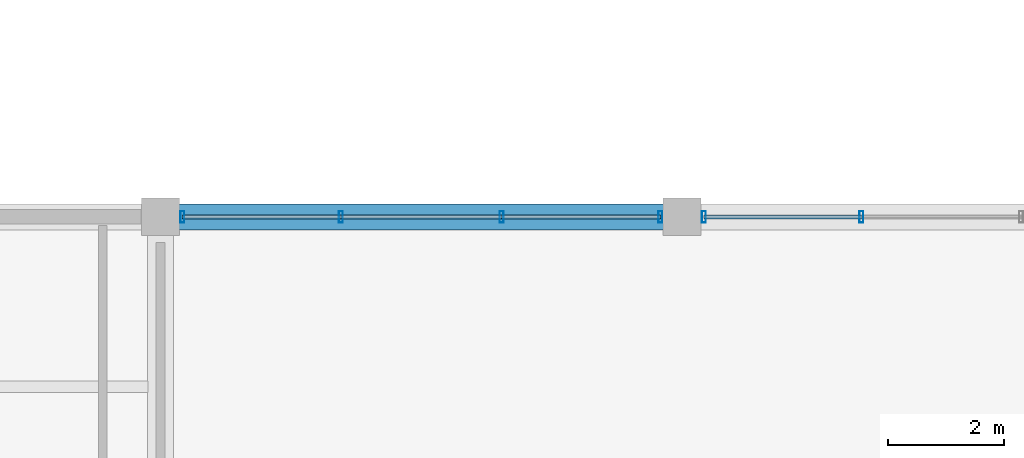
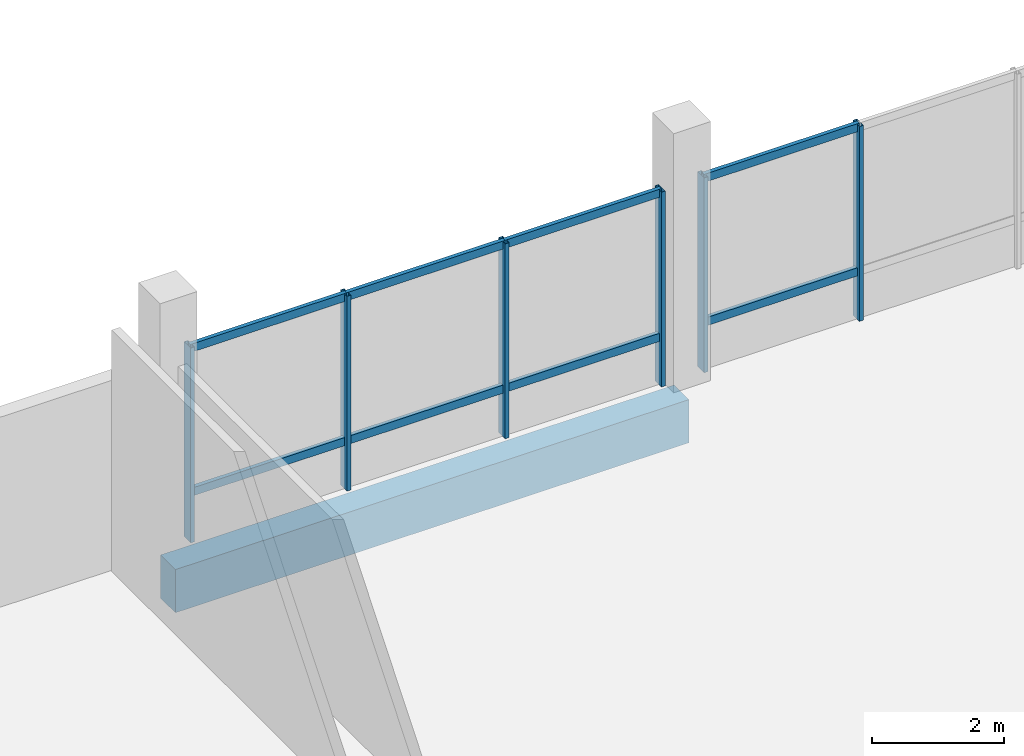
# One storey, part 33 of 71: 14 members, 1 beam, 2 elements without a shape of their own.
"""IFC4 building model written with IfcOpenShell, lengths in metres."""

from ifc_helpers import new_model, si_unit, direction, frame, origin, origin_2d, place, context, subcontext, project, spatial, rectangle, hollow_rectangle, extrude, material, layer, layer_set, material_profile, profile_set, type_object, element, aggregate, save


model = new_model("IFC4")

# Units and contexts
model_context = context("Model", 3, precision=1e-05, world=origin(), true_north=direction((0.0, 1.0)))
body_context = subcontext(model_context, "Body", "Model", "MODEL_VIEW")
ifc_project = project(units=[si_unit("LENGTHUNIT", "METRE"), si_unit("AREAUNIT", "SQUARE_METRE"), si_unit("VOLUMEUNIT", "CUBIC_METRE"), si_unit("PLANEANGLEUNIT", "RADIAN"), si_unit("MASSUNIT", "GRAM", prefix="KILO")], contexts=[model_context])

# Site, building, storey
site_placement = place(None, origin())
site = spatial("IfcSite", under=ifc_project, at=site_placement, CompositionType="ELEMENT")
building_placement = place(site_placement, origin())
building = spatial("IfcBuilding", under=site, at=building_placement, Name="Meriwether Solvik Hall", CompositionType="ELEMENT")
storey_placement = place(building_placement, frame((0.0, 0.0, 5.10009765625)))
storey = spatial("IfcBuildingStorey", under=building, at=storey_placement, Name="L01", CompositionType="ELEMENT", Elevation=5.10009765625)

# Beam
ifc_material_1 = material(Name="Concrete C40/50", Category="concrete")
ifc_material_profile_1 = material_profile(ifc_material_1, rectangle(XDim=0.449951171875, YDim=0.800048828125, at=origin_2d()), Name="RCB-450X800")
ifc_profile_set_1 = profile_set([ifc_material_profile_1], Name="Concrete C40/50")
beam_type = type_object("IfcBeamType", Name="BM-RC-450X800", PredefinedType="BEAM", material=ifc_profile_set_1)
beam_placement = place(storey_placement, frame((77.800048828125, 92.800048828125, -0.7001953125), z_axis=(1.0, 0.0, 0.0), x_axis=(0.0, 1.0, 0.0)))
element("IfcBeam", 1, at=beam_placement, inside=storey, type_object=beam_type, Name="Podium Girder K:9-10 (L01)", PredefinedType="BEAM", context=body_context, shape_type="SweptSolid", body=[
    extrude(rectangle(XDim=0.449951171875, YDim=0.800048828125, at=origin_2d()), origin(), (0.0, 0.0, 1.0), 9.0),
])

# Curtain wall, members
ifc_material_2 = material(Name="Thermally Broken Anodised Aluminium 6063-T6 and Low-E Glass", Category="aluminium")
ifc_layer = layer(ifc_material_2, 0.179931640625)
ifc_layer_set = layer_set([ifc_layer], Name="Thermally Broken Anodised Aluminium 6063-T6 and Low-E Glass")
curtain_wall_type = type_object("IfcCurtainWallType", Name="CW-SF-POD-B", PredefinedType="USERDEFINED", material=ifc_layer_set)
curtain_wall_1_placement = place(storey_placement, origin())
curtain_wall_1 = element("IfcCurtainWall", 2, at=curtain_wall_1_placement, inside=storey, type_object=curtain_wall_type, Name="Curtain Wall wing_XK_9_26 (L01)", ObjectType="STICK STOREFRONT GLAZING", PredefinedType="USERDEFINED")
ifc_material_3 = material(Name="Anodised Aluminium 6063-T6", Category="aluminium")
ifc_material_profile_2 = material_profile(ifc_material_3, hollow_rectangle(XDim=0.070068359375, YDim=0.199951171875, WallThickness=0.0048828125, at=origin_2d()), Name="CWM-70X200")
ifc_profile_set_2 = profile_set([ifc_material_profile_2], Name="Anodised Aluminium 6063-T6")
member_type_1 = type_object("IfcMemberType", Name="CW-MUL-70X200", PredefinedType="MULLION", material=ifc_profile_set_2)
member_1_placement = place(storey_placement, frame((78.175048828125, 92.800048828125, 0.0), z_axis=(0.0, 0.0, 1.0), x_axis=(1.0, 0.0, 0.0)))
member_1 = element("IfcMember", 3, at=member_1_placement, type_object=member_type_1, Name="Curtain Wall Mullion 1", PredefinedType="MULLION", context=body_context, shape_type="SweptSolid", body=[
    extrude(hollow_rectangle(XDim=0.070068359375, YDim=0.199951171875, WallThickness=0.0048828125, at=origin_2d()), origin(), (0.0, 0.0, 1.0), 3.60986328125),
])
member_2_placement = place(storey_placement, frame((80.912353515625, 92.800048828125, 0.0), z_axis=(0.0, 0.0, 1.0), x_axis=(1.0, 0.0, 0.0)))
member_2 = element("IfcMember", 4, at=member_2_placement, type_object=member_type_1, Name="Curtain Wall Mullion 2", PredefinedType="MULLION", context=body_context, shape_type="SweptSolid", body=[
    extrude(hollow_rectangle(XDim=0.070068359375, YDim=0.199951171875, WallThickness=0.0048828125, at=origin_2d()), origin(), (0.0, 0.0, 1.0), 3.60986328125),
])
member_3_placement = place(storey_placement, frame((83.687744140625, 92.800048828125, 0.0), z_axis=(0.0, 0.0, 1.0), x_axis=(1.0, 0.0, 0.0)))
member_3 = element("IfcMember", 5, at=member_3_placement, type_object=member_type_1, Name="Curtain Wall Mullion 3", PredefinedType="MULLION", context=body_context, shape_type="SweptSolid", body=[
    extrude(hollow_rectangle(XDim=0.070068359375, YDim=0.199951171875, WallThickness=0.0048828125, at=origin_2d()), origin(), (0.0, 0.0, 1.0), 3.60986328125),
])
member_4_placement = place(storey_placement, frame((86.425048828125, 92.800048828125, 0.0), z_axis=(0.0, 0.0, 1.0), x_axis=(1.0, 0.0, 0.0)))
member_4 = element("IfcMember", 6, at=member_4_placement, type_object=member_type_1, Name="Curtain Wall Mullion 4", PredefinedType="MULLION", context=body_context, shape_type="SweptSolid", body=[
    extrude(hollow_rectangle(XDim=0.070068359375, YDim=0.199951171875, WallThickness=0.0048828125, at=origin_2d()), origin(), (0.0, 0.0, 1.0), 3.60986328125),
])

curtain_wall_2_placement = place(storey_placement, origin())
curtain_wall_2 = element("IfcCurtainWall", 7, at=curtain_wall_2_placement, inside=storey, type_object=curtain_wall_type, Name="Curtain Wall wing_XK_10_27 (L01)", ObjectType="STICK STOREFRONT GLAZING", PredefinedType="USERDEFINED")
member_5_placement = place(storey_placement, frame((87.175048828125, 92.800048828125, 0.0), z_axis=(0.0, 0.0, 1.0), x_axis=(1.0, 0.0, 0.0)))
member_5 = element("IfcMember", 8, at=member_5_placement, type_object=member_type_1, Name="Curtain Wall Mullion 1", PredefinedType="MULLION", context=body_context, shape_type="SweptSolid", body=[
    extrude(hollow_rectangle(XDim=0.070068359375, YDim=0.199951171875, WallThickness=0.0048828125, at=origin_2d()), origin(), (0.0, 0.0, 1.0), 3.60986328125),
])
member_6_placement = place(storey_placement, frame((89.895751953125, 92.800048828125, 0.0), z_axis=(0.0, 0.0, 1.0), x_axis=(1.0, 0.0, 0.0)))
member_6 = element("IfcMember", 9, at=member_6_placement, type_object=member_type_1, Name="Curtain Wall Mullion 2", PredefinedType="MULLION", context=body_context, shape_type="SweptSolid", body=[
    extrude(hollow_rectangle(XDim=0.070068359375, YDim=0.199951171875, WallThickness=0.0048828125, at=origin_2d()), origin(), (0.0, 0.0, 1.0), 3.60986328125),
])

# Member
ifc_material_4 = material(Name="Anodised Aluminium 6063-T6", Category="aluminium")
ifc_material_profile_3 = material_profile(ifc_material_4, hollow_rectangle(XDim=0.070068359375, YDim=0.14990234375, WallThickness=0.0048828125, at=origin_2d()), Name="CWT-70X150")
ifc_profile_set_3 = profile_set([ifc_material_profile_3], Name="Anodised Aluminium 6063-T6")
member_type_2 = type_object("IfcMemberType", Name="CW-TRN-70X150", PredefinedType="USERDEFINED", material=ifc_profile_set_3)
member_7_placement = place(storey_placement, frame((78.175048828125, 92.800048828125, 0.8798828125), z_axis=(1.0, 0.0, 0.0), x_axis=(0.0, 1.0, 0.0)))
member_7 = element("IfcMember", 10, at=member_7_placement, type_object=member_type_2, Name="Curtain Wall Transom 1-sill", ObjectType="TRANSOM", PredefinedType="USERDEFINED", context=body_context, shape_type="SweptSolid", body=[
    extrude(hollow_rectangle(XDim=0.070068359375, YDim=0.14990234375, WallThickness=0.0048828125, at=origin_2d()), origin(), (0.0, 0.0, 1.0), 2.7373046875),
])

member_8_placement = place(storey_placement, frame((78.175048828125, 92.800048828125, 3.5498046875), z_axis=(1.0, 0.0, 0.0), x_axis=(0.0, 1.0, 0.0)))
member_8 = element("IfcMember", 11, at=member_8_placement, type_object=member_type_2, Name="Curtain Wall Transom 1-head", ObjectType="TRANSOM", PredefinedType="USERDEFINED", context=body_context, shape_type="SweptSolid", body=[
    extrude(hollow_rectangle(XDim=0.070068359375, YDim=0.14990234375, WallThickness=0.0048828125, at=origin_2d()), origin(), (0.0, 0.0, 1.0), 2.7373046875),
])

member_9_placement = place(storey_placement, frame((80.912353515625, 92.800048828125, 0.8798828125), z_axis=(1.0, 0.0, 0.0), x_axis=(0.0, 1.0, 0.0)))
member_9 = element("IfcMember", 12, at=member_9_placement, type_object=member_type_2, Name="Curtain Wall Transom 2-sill", ObjectType="TRANSOM", PredefinedType="USERDEFINED", context=body_context, shape_type="SweptSolid", body=[
    extrude(hollow_rectangle(XDim=0.070068359375, YDim=0.14990234375, WallThickness=0.0048828125, at=origin_2d()), origin(), (0.0, 0.0, 1.0), 2.775390625),
])

member_10_placement = place(storey_placement, frame((80.912353515625, 92.800048828125, 3.5498046875), z_axis=(1.0, 0.0, 0.0), x_axis=(0.0, 1.0, 0.0)))
member_10 = element("IfcMember", 13, at=member_10_placement, type_object=member_type_2, Name="Curtain Wall Transom 2-head", ObjectType="TRANSOM", PredefinedType="USERDEFINED", context=body_context, shape_type="SweptSolid", body=[
    extrude(hollow_rectangle(XDim=0.070068359375, YDim=0.14990234375, WallThickness=0.0048828125, at=origin_2d()), origin(), (0.0, 0.0, 1.0), 2.775390625),
])

member_11_placement = place(storey_placement, frame((83.687744140625, 92.800048828125, 0.8798828125), z_axis=(1.0, 0.0, 0.0), x_axis=(0.0, 1.0, 0.0)))
member_11 = element("IfcMember", 14, at=member_11_placement, type_object=member_type_2, Name="Curtain Wall Transom 3-sill", ObjectType="TRANSOM", PredefinedType="USERDEFINED", context=body_context, shape_type="SweptSolid", body=[
    extrude(hollow_rectangle(XDim=0.070068359375, YDim=0.14990234375, WallThickness=0.0048828125, at=origin_2d()), origin(), (0.0, 0.0, 1.0), 2.7373046875),
])

member_12_placement = place(storey_placement, frame((83.687744140625, 92.800048828125, 3.5498046875), z_axis=(1.0, 0.0, 0.0), x_axis=(0.0, 1.0, 0.0)))
member_12 = element("IfcMember", 15, at=member_12_placement, type_object=member_type_2, Name="Curtain Wall Transom 3-head", ObjectType="TRANSOM", PredefinedType="USERDEFINED", context=body_context, shape_type="SweptSolid", body=[
    extrude(hollow_rectangle(XDim=0.070068359375, YDim=0.14990234375, WallThickness=0.0048828125, at=origin_2d()), origin(), (0.0, 0.0, 1.0), 2.7373046875),
])

aggregate(curtain_wall_1, [member_1, member_2, member_3, member_4, member_7, member_8, member_9, member_10, member_11, member_12])

member_13_placement = place(storey_placement, frame((87.175048828125, 92.800048828125, 0.8798828125), z_axis=(1.0, 0.0, 0.0), x_axis=(0.0, 1.0, 0.0)))
member_13 = element("IfcMember", 16, at=member_13_placement, type_object=member_type_2, Name="Curtain Wall Transom 1-sill", ObjectType="TRANSOM", PredefinedType="USERDEFINED", context=body_context, shape_type="SweptSolid", body=[
    extrude(hollow_rectangle(XDim=0.070068359375, YDim=0.14990234375, WallThickness=0.0048828125, at=origin_2d()), origin(), (0.0, 0.0, 1.0), 2.720703125),
])

member_14_placement = place(storey_placement, frame((87.175048828125, 92.800048828125, 3.5498046875), z_axis=(1.0, 0.0, 0.0), x_axis=(0.0, 1.0, 0.0)))
member_14 = element("IfcMember", 17, at=member_14_placement, type_object=member_type_2, Name="Curtain Wall Transom 1-head", ObjectType="TRANSOM", PredefinedType="USERDEFINED", context=body_context, shape_type="SweptSolid", body=[
    extrude(hollow_rectangle(XDim=0.070068359375, YDim=0.14990234375, WallThickness=0.0048828125, at=origin_2d()), origin(), (0.0, 0.0, 1.0), 2.720703125),
])

aggregate(curtain_wall_2, [member_5, member_6, member_13, member_14])

save(model, "model.ifc")
